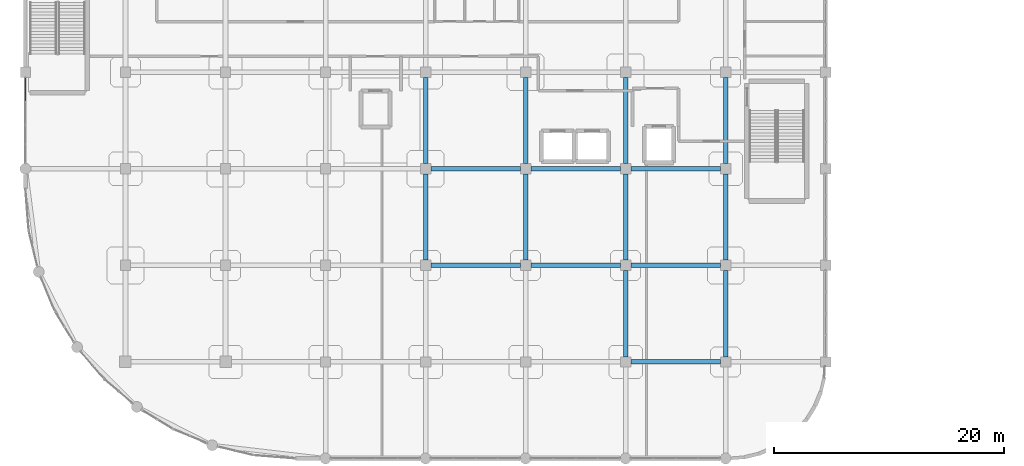
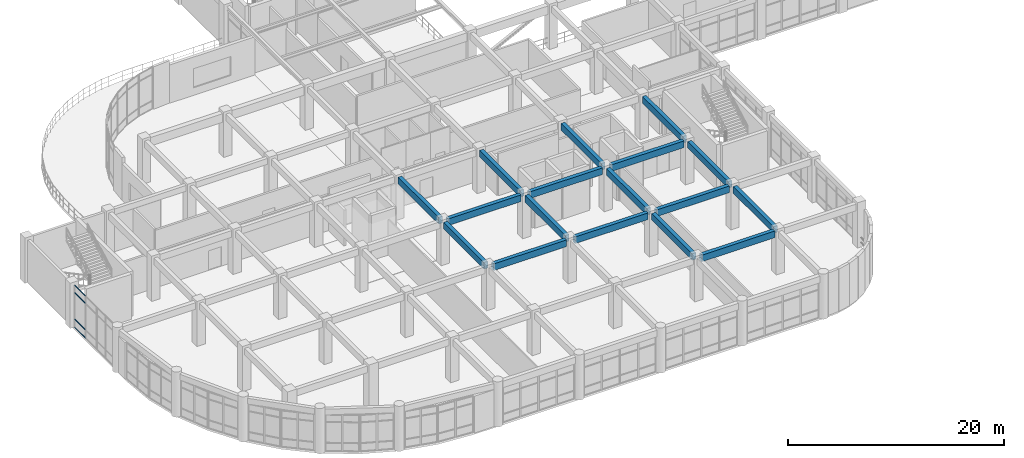
# One storey, part 16 of 120: 17 beams, 4 members, 1 element without a shape of its own.
"""IFC4 building model written with IfcOpenShell, lengths in metres."""

from ifc_helpers import new_model, si_unit, derived_unit, direction, frame, origin, origin_2d, place, context, subcontext, project, spatial, rectangle, hollow_rectangle, extrude, material, layer, layer_set, material_profile, profile_set, type_object, element, aggregate, save


model = new_model("IFC4")

# Units and contexts
model_context = context("Model", 3, precision=1e-05, world=origin(), true_north=direction((0.0, 1.0)))
body_context = subcontext(model_context, "Body", "Model", "MODEL_VIEW")
ifc_project = project(units=[si_unit("LENGTHUNIT", "METRE"), si_unit("AREAUNIT", "SQUARE_METRE"), si_unit("VOLUMEUNIT", "CUBIC_METRE"), si_unit("PLANEANGLEUNIT", "RADIAN"), si_unit("MASSUNIT", "GRAM", prefix="KILO"), derived_unit("THERMALTRANSMITTANCEUNIT", [(si_unit("MASSUNIT", "GRAM", prefix="KILO"), 1), (si_unit("TIMEUNIT", "SECOND"), -3), (si_unit("THERMODYNAMICTEMPERATUREUNIT", "KELVIN"), -1)])], contexts=[model_context])

# Site, building, storey
site_placement = place(None, origin())
site = spatial("IfcSite", under=ifc_project, at=site_placement, CompositionType="ELEMENT")
building_placement = place(site_placement, origin())
building = spatial("IfcBuilding", under=site, at=building_placement, Name="Qinzheling Arcade Emporium", CompositionType="ELEMENT")
storey_placement = place(building_placement, frame((0.0, 0.0, 11.39990234375)))
storey = spatial("IfcBuildingStorey", under=building, at=storey_placement, Name="L03", CompositionType="ELEMENT", Elevation=11.39990234375)

# Curtain wall, members
ifc_material_1 = material(Name="Anodised aluminium and solar-control double glazing", Category="aluminium")
ifc_layer = layer(ifc_material_1, 0.159912109375, Name="Anodised aluminium and solar-control double glazing", Category="aluminium")
ifc_layer_set = layer_set([ifc_layer], Name="Anodised aluminium and solar-control double glazing")
curtain_wall_type = type_object("IfcCurtainWallType", Name="Arcade Portal Glazed Curtain Wall", PredefinedType="NOTDEFINED", material=ifc_layer_set)
curtain_wall_placement = place(storey_placement, origin())
curtain_wall = element("IfcCurtainWall", 1, at=curtain_wall_placement, inside=storey, type_object=curtain_wall_type, Name="Curtain Wall CW-L03-164", PredefinedType="NOTDEFINED")
ifc_material_2 = material(Name="Anodised aluminium 6063-T6", Category="aluminium")
ifc_material_profile_1 = material_profile(ifc_material_2, hollow_rectangle(XDim=0.06005859375, YDim=0.1201171875, WallThickness=0.00390625, InnerFilletRadius=0.00390625, OuterFilletRadius=0.008056640625, at=origin_2d()), Name="RHS 120x60x4", Category="aluminium")
ifc_profile_set_1 = profile_set([ifc_material_profile_1], Name="Anodised aluminium 6063-T6")
member_type = type_object("IfcMemberType", Name="Curtain Wall Transom RHS120x60", PredefinedType="USERDEFINED", material=ifc_profile_set_1)
member_1_placement = place(storey_placement, frame((0.0, 31.10400390625, 0.030029296875), z_axis=(0.0, 1.0, 0.0), x_axis=(-1.0, 0.0, 0.0)))
member_1 = element("IfcMember", 2, at=member_1_placement, type_object=member_type, Name="CW05 transom 2.1", ObjectType="TRANSOM", PredefinedType="USERDEFINED", context=body_context, shape_type="SweptSolid", body=[
    extrude(hollow_rectangle(XDim=0.06005859375, YDim=0.1201171875, WallThickness=0.00390625, InnerFilletRadius=0.00390625, OuterFilletRadius=0.008056640625, at=origin_2d()), origin(), (0.0, 0.0, 1.0), 1.98388671875),
])
member_2_placement = place(storey_placement, frame((0.0, 31.10400390625, 0.9501953125), z_axis=(0.0, 1.0, 0.0), x_axis=(-1.0, 0.0, 0.0)))
member_2 = element("IfcMember", 3, at=member_2_placement, type_object=member_type, Name="CW05 transom 2.2", ObjectType="TRANSOM", PredefinedType="USERDEFINED", context=body_context, shape_type="SweptSolid", body=[
    extrude(hollow_rectangle(XDim=0.06005859375, YDim=0.1201171875, WallThickness=0.00390625, InnerFilletRadius=0.00390625, OuterFilletRadius=0.008056640625, at=origin_2d()), origin(), (0.0, 0.0, 1.0), 1.98388671875),
])
member_3_placement = place(storey_placement, frame((0.0, 31.10400390625, 3.940185546875), z_axis=(0.0, 1.0, 0.0), x_axis=(-1.0, 0.0, 0.0)))
member_3 = element("IfcMember", 4, at=member_3_placement, type_object=member_type, Name="CW05 transom 2.3", ObjectType="TRANSOM", PredefinedType="USERDEFINED", context=body_context, shape_type="SweptSolid", body=[
    extrude(hollow_rectangle(XDim=0.06005859375, YDim=0.1201171875, WallThickness=0.00390625, InnerFilletRadius=0.00390625, OuterFilletRadius=0.008056640625, at=origin_2d()), origin(), (0.0, 0.0, 1.0), 1.98388671875),
])
member_4_placement = place(storey_placement, frame((0.0, 31.10400390625, 4.760009765625), z_axis=(0.0, 1.0, 0.0), x_axis=(-1.0, 0.0, 0.0)))
member_4 = element("IfcMember", 5, at=member_4_placement, type_object=member_type, Name="CW05 transom 2.4", ObjectType="TRANSOM", PredefinedType="USERDEFINED", context=body_context, shape_type="SweptSolid", body=[
    extrude(hollow_rectangle(XDim=0.06005859375, YDim=0.1201171875, WallThickness=0.00390625, InnerFilletRadius=0.00390625, OuterFilletRadius=0.008056640625, at=origin_2d()), origin(), (0.0, 0.0, 1.0), 1.98388671875),
])
aggregate(curtain_wall, [member_1, member_2, member_3, member_4])

# Beams
ifc_material_3 = material(Name="Concrete C40", Category="concrete")
ifc_material_profile_2 = material_profile(ifc_material_3, rectangle(XDim=0.39990234375, YDim=0.75, at=origin_2d()), Name="RC 400x750", Category="concrete")
ifc_profile_set_2 = profile_set([ifc_material_profile_2], Name="Concrete C40")
beam_type = type_object("IfcBeamType", Name="RC Interior Tie Beam 400x750 C40", PredefinedType="BEAM", material=ifc_profile_set_2)
for number, where, z_axis, x_axis, name in (
    (6, (52.64990234375, 8.39990234375, 4.445068359375), (1.0, 0.0, 0.0), (0.0, 1.0, 0.0), "Beam BM-L03-X-B-7"),
    (7, (35.25, 16.800048828125, 4.445068359375), (1.0, 0.0, 0.0), (0.0, 1.0, 0.0), "Beam BM-L03-X-C-5"),
    (8, (43.949951171875, 16.800048828125, 4.445068359375), (1.0, 0.0, 0.0), (0.0, 1.0, 0.0), "Beam BM-L03-X-C-6"),
    (9, (52.64990234375, 16.800048828125, 4.445068359375), (1.0, 0.0, 0.0), (0.0, 1.0, 0.0), "Beam BM-L03-X-C-7"),
    (10, (35.25, 25.199951171875, 4.445068359375), (1.0, 0.0, 0.0), (0.0, 1.0, 0.0), "Beam BM-L03-X-D-5"),
    (11, (43.949951171875, 25.199951171875, 4.445068359375), (1.0, 0.0, 0.0), (0.0, 1.0, 0.0), "Beam BM-L03-X-D-6"),
    (12, (52.64990234375, 25.199951171875, 4.445068359375), (1.0, 0.0, 0.0), (0.0, 1.0, 0.0), "Beam BM-L03-X-D-7"),
):
    element("IfcBeam", number, at=place(storey_placement, frame(where, z_axis=z_axis, x_axis=x_axis)), inside=storey, type_object=beam_type, Name=name, PredefinedType="BEAM", context=body_context, shape_type="SweptSolid", body=[
        extrude(rectangle(XDim=0.39990234375, YDim=0.75, at=origin_2d()), origin(), (0.0, 0.0, 1.0), 7.800048828125),
    ])
for number, where, z_axis, x_axis, name in (
    (13, (34.800048828125, 17.25, 4.445068359375), (0.0, 1.0, 0.0), (-1.0, 0.0, 0.0), "Beam BM-L03-Y-5-C"),
    (14, (34.800048828125, 25.64990234375, 4.445068359375), (0.0, 1.0, 0.0), (-1.0, 0.0, 0.0), "Beam BM-L03-Y-5-D"),
    (15, (43.5, 17.25, 4.445068359375), (0.0, 1.0, 0.0), (-1.0, 0.0, 0.0), "Beam BM-L03-Y-6-C"),
    (16, (43.5, 25.64990234375, 4.445068359375), (0.0, 1.0, 0.0), (-1.0, 0.0, 0.0), "Beam BM-L03-Y-6-D"),
    (17, (52.199951171875, 8.85009765625, 4.445068359375), (0.0, 1.0, 0.0), (-1.0, 0.0, 0.0), "Beam BM-L03-Y-7-B"),
    (18, (52.199951171875, 17.25, 4.445068359375), (0.0, 1.0, 0.0), (-1.0, 0.0, 0.0), "Beam BM-L03-Y-7-C"),
    (19, (52.199951171875, 25.64990234375, 4.445068359375), (0.0, 1.0, 0.0), (-1.0, 0.0, 0.0), "Beam BM-L03-Y-7-D"),
    (20, (60.89990234375, 8.85009765625, 4.445068359375), (0.0, 1.0, 0.0), (-1.0, 0.0, 0.0), "Beam BM-L03-Y-8-B"),
    (21, (60.89990234375, 17.25, 4.445068359375), (0.0, 1.0, 0.0), (-1.0, 0.0, 0.0), "Beam BM-L03-Y-8-C"),
    (22, (60.89990234375, 25.64990234375, 4.445068359375), (0.0, 1.0, 0.0), (-1.0, 0.0, 0.0), "Beam BM-L03-Y-8-D"),
):
    element("IfcBeam", number, at=place(storey_placement, frame(where, z_axis=z_axis, x_axis=x_axis)), inside=storey, type_object=beam_type, Name=name, PredefinedType="BEAM", context=body_context, shape_type="SweptSolid", body=[
        extrude(rectangle(XDim=0.39990234375, YDim=0.75, at=origin_2d()), origin(), (0.0, 0.0, 1.0), 7.5),
    ])

save(model, "model.ifc")
